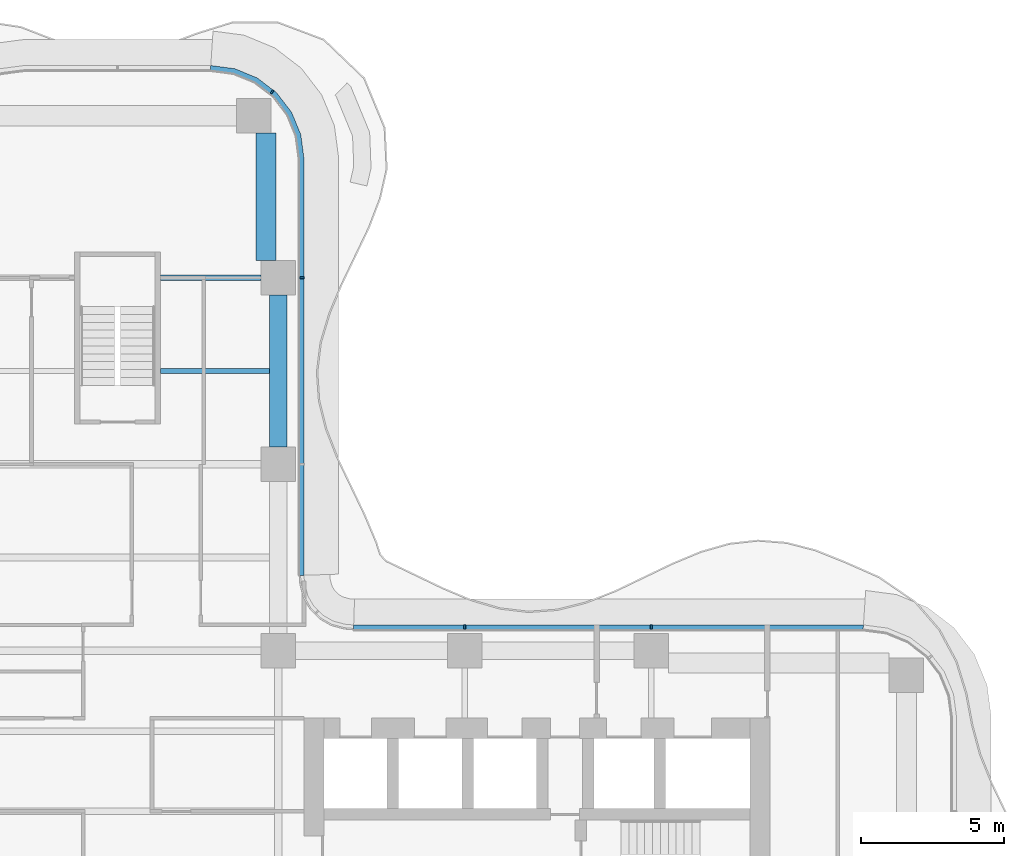
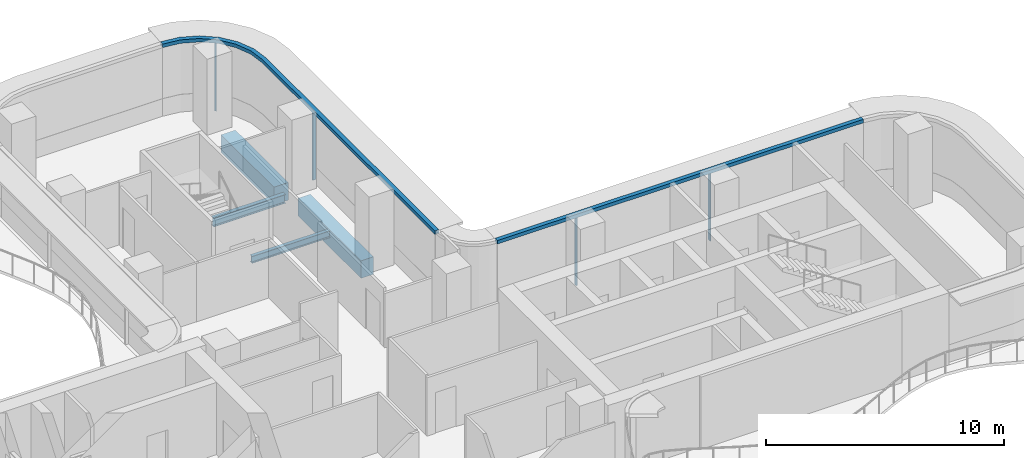
# One storey, part 8 of 17: 6 members, 4 beams, 2 elements without a shape of their own.
"""IFC4 building model written with IfcOpenShell, lengths in metres."""

from ifc_helpers import new_model, si_unit, direction, frame, origin, origin_2d, place, context, subcontext, project, spatial, polyline, rectangle, i_section, outline, extrude, source, transform, mapped, material, layer, layer_set, material_profile, profile_set, type_object, element, aggregate, save


model = new_model("IFC4")

# Units and contexts
model_context = context("Model", 3, precision=1e-05, world=origin(), true_north=direction((0.0, 1.0)))
body_context = subcontext(model_context, "Body", "Model", "MODEL_VIEW")
ifc_project = project(units=[si_unit("LENGTHUNIT", "METRE"), si_unit("AREAUNIT", "SQUARE_METRE"), si_unit("VOLUMEUNIT", "CUBIC_METRE"), si_unit("PLANEANGLEUNIT", "RADIAN"), si_unit("MASSUNIT", "GRAM", prefix="KILO")], contexts=[model_context])

# Site, building, storey
site_placement = place(None, origin())
site = spatial("IfcSite", under=ifc_project, at=site_placement, CompositionType="ELEMENT")
building_placement = place(site_placement, origin())
building = spatial("IfcBuilding", under=site, at=building_placement, Name="Trellis Farm Tower", CompositionType="ELEMENT")
storey_placement = place(building_placement, frame((0.0, 0.0, 162.0)))
storey = spatial("IfcBuildingStorey", under=building, at=storey_placement, Name="L34", CompositionType="ELEMENT", Elevation=162.0)

# Beams
ifc_material_1 = material(Name="Steel S355", Category="steel")
ifc_material_profile_1 = material_profile(ifc_material_1, i_section(OverallWidth=0.1904296875, OverallDepth=0.45703125, WebThickness=0.009033203125, FlangeThickness=0.014404296875, FilletRadius=0.01025390625, at=origin_2d()), Name="UB 457x191x74")
ifc_profile_set_1 = profile_set([ifc_material_profile_1], Name="Steel S355")
beam_type_1 = type_object("IfcBeamType", Name="UB 457x191x74", PredefinedType="BEAM", material=ifc_profile_set_1)
shared_shape_1 = source(origin(), body_context, "Body", "SweptSolid", [
    extrude(i_section(OverallWidth=0.1904296875, OverallDepth=0.45703125, WebThickness=0.009033203125, FlangeThickness=0.014404296875, FilletRadius=0.01025390625, at=origin_2d()), origin(), (0.0, 0.0, 1.0), 3.5),
])
beam_1_placement = place(storey_placement, frame((1.5, 18.60009765625, -0.428466796875), z_axis=(1.0, 0.0, 0.0), x_axis=(0.0, 1.0, 0.0)))
element("IfcBeam", 1, at=beam_1_placement, inside=storey, type_object=beam_type_1, Name="Girder", PredefinedType="BEAM", context=body_context, shape_type="MappedRepresentation", body=[
    mapped(shared_shape_1, transform((0.0, 0.0, 0.0))),
])
ifc_material_2 = material(Name="Concrete C60/75", Category="concrete")
ifc_material_profile_2 = material_profile(ifc_material_2, rectangle(XDim=0.60009765625, YDim=0.89990234375, at=origin_2d()), Name="RC spandrel beam 600x900 C60/75")
ifc_profile_set_2 = profile_set([ifc_material_profile_2], Name="Concrete C60/75")
beam_type_2 = type_object("IfcBeamType", Name="RC spandrel beam 600x900 C60/75", PredefinedType="SPANDREL", material=ifc_profile_set_2)
shared_shape_2 = source(origin(), body_context, "Body", "SweptSolid", [
    extrude(rectangle(XDim=0.60009765625, YDim=0.89990234375, at=origin_2d()), origin(), (0.0, 0.0, 1.0), 5.300048828125),
])
beam_2_placement = place(storey_placement, frame((5.60009765625, 12.699951171875, -0.64990234375), z_axis=(0.0, 1.0, 0.0), x_axis=(-1.0, 0.0, 0.0)))
element("IfcBeam", 2, at=beam_2_placement, inside=storey, type_object=beam_type_2, Name="Girder", PredefinedType="SPANDREL", context=body_context, shape_type="MappedRepresentation", body=[
    mapped(shared_shape_2, transform((0.0, 0.0, 0.0))),
])
ifc_material_profile_3 = material_profile(ifc_material_2, rectangle(XDim=0.699951171875, YDim=0.89990234375, at=origin_2d()), Name="RC spandrel beam 700x900 C60/75")
ifc_profile_set_3 = profile_set([ifc_material_profile_3], Name="Concrete C60/75")
beam_type_3 = type_object("IfcBeamType", Name="RC spandrel beam 700x900 C60/75", PredefinedType="SPANDREL", material=ifc_profile_set_3)
shared_shape_3 = source(origin(), body_context, "Body", "SweptSolid", [
    extrude(rectangle(XDim=0.699951171875, YDim=0.89990234375, at=origin_2d()), origin(), (0.0, 0.0, 1.0), 4.449951171875),
])
beam_3_placement = place(storey_placement, frame((5.175048828125, 19.199951171875, -0.64990234375), z_axis=(0.0, 1.0, 0.0), x_axis=(-1.0, 0.0, 0.0)))
element("IfcBeam", 3, at=beam_3_placement, inside=storey, type_object=beam_type_3, Name="Girder", PredefinedType="SPANDREL", context=body_context, shape_type="MappedRepresentation", body=[
    mapped(shared_shape_3, transform((0.0, 0.0, 0.0))),
])
ifc_material_profile_4 = material_profile(ifc_material_1, i_section(OverallWidth=0.17138671875, OverallDepth=0.35498046875, WebThickness=0.00732421875, FlangeThickness=0.011474609375, FilletRadius=0.01025390625, at=origin_2d()), Name="UB 356x171x51")
ifc_profile_set_4 = profile_set([ifc_material_profile_4], Name="Steel S355")
beam_type_4 = type_object("IfcBeamType", Name="UB 356x171x51 joist", PredefinedType="JOIST", material=ifc_profile_set_4)
shared_shape_4 = source(origin(), body_context, "Body", "SweptSolid", [
    extrude(i_section(OverallWidth=0.17138671875, OverallDepth=0.35498046875, WebThickness=0.00732421875, FlangeThickness=0.011474609375, FilletRadius=0.01025390625, at=origin_2d()), origin(), (0.0, 0.0, 1.0), 3.800048828125),
])
beam_4_placement = place(storey_placement, frame((1.5, 15.35009765625, -0.37744140625), z_axis=(1.0, 0.0, 0.0), x_axis=(0.0, 1.0, 0.0)))
element("IfcBeam", 4, at=beam_4_placement, inside=storey, type_object=beam_type_4, Name="Floor beam", PredefinedType="JOIST", context=body_context, shape_type="MappedRepresentation", body=[
    mapped(shared_shape_4, transform((0.0, 0.0, 0.0))),
])

# Curtain wall, member
ifc_material_3 = material(Name="Aluminium and glass curtain wall", Category="aluminium")
ifc_layer_1 = layer(ifc_material_3, 0.18994140625)
ifc_layer_set_1 = layer_set([ifc_layer_1], Name="RIBBON CURTAIN WALL CW1")
curtain_wall_type = type_object("IfcCurtainWallType", Name="RIBBON CURTAIN WALL CW1", PredefinedType="NOTDEFINED", material=ifc_layer_set_1)
placement_1 = place(storey_placement, origin())
curtain_wall_1 = element("IfcCurtainWall", 5, at=placement_1, inside=storey, type_object=curtain_wall_type, Name="CW1 009", PredefinedType="NOTDEFINED")
ifc_material_4 = material(Name="Aluminium extrusion 6063-T6", Category="aluminium")
ifc_layer_2 = layer(ifc_material_4, 0.199951171875)
ifc_layer_set_2 = layer_set([ifc_layer_2], Name="Aluminium extrusion 6063-T6")
member_type_1 = type_object("IfcMemberType", Name="CW1 TRANSOM 200x180", PredefinedType="USERDEFINED", material=ifc_layer_set_2)
shared_shape_5 = source(origin(), body_context, "Body", "SweptSolid", [
    extrude(outline(polyline([(6.5, 8.2314453125), (6.5, 22.75), (6.38916015625, 23.591064453125), (6.064697265625, 24.375), (5.548095703125, 25.048095703125), (4.875, 25.564697265625), (4.091064453125, 25.88916015625), (3.25, 26.0), (3.23681640625, 25.800048828125), (4.0390625, 25.6943359375), (4.774169921875, 25.389892578125), (5.405517578125, 24.905517578125), (5.889892578125, 24.274169921875), (6.1943359375, 23.5390625), (6.300048828125, 22.73681640625), (6.300048828125, 8.224853515625), (6.5, 8.2314453125)])), origin(), (0.0, 0.0, 1.0), 0.179931640625),
])
placement_2 = place(storey_placement, frame((0.0, 0.0, 3.52001953125)))
member_1 = element("IfcMember", 6, at=placement_2, type_object=member_type_1, Name="TR1 009", ObjectType="TRANSOM", PredefinedType="USERDEFINED", context=body_context, shape_type="MappedRepresentation", body=[
    mapped(shared_shape_5, transform((0.0, 0.0, 0.0))),
])

# Curtain wall, members
curtain_wall_2 = element("IfcCurtainWall", 7, at=placement_1, inside=storey, type_object=curtain_wall_type, Name="CW1 008", PredefinedType="NOTDEFINED")
shared_shape_6 = source(origin(), body_context, "Body", "SweptSolid", [
    extrude(outline(polyline([(26.0, 6.5), (8.2314453125, 6.5), (8.224853515625, 6.300048828125), (25.98681640625, 6.300048828125), (26.0, 6.5)])), origin(), (0.0, 0.0, 1.0), 0.179931640625),
])
member_2 = element("IfcMember", 8, at=placement_2, type_object=member_type_1, Name="TR1 008", ObjectType="TRANSOM", PredefinedType="USERDEFINED", context=body_context, shape_type="MappedRepresentation", body=[
    mapped(shared_shape_6, transform((0.0, 0.0, 0.0))),
])
ifc_material_profile_5 = material_profile(ifc_material_4, rectangle(XDim=0.06005859375, YDim=0.14990234375, at=origin_2d()), Name="MULLION 60x150")
ifc_profile_set_5 = profile_set([ifc_material_profile_5], Name="Aluminium extrusion 6063-T6")
member_type_2 = type_object("IfcMemberType", Name="CW1 MULLION 60x150", PredefinedType="MULLION", material=ifc_profile_set_5)
shared_shape_7 = source(origin(), body_context, "Body", "SweptSolid", [
    extrude(rectangle(XDim=0.06005859375, YDim=0.14990234375, at=origin_2d()), origin(), (0.0, 0.0, 1.0), 3.52001953125),
])
member_3_placement = place(storey_placement, frame((18.60009765625, 6.425048828125, 0.0), z_axis=(0.0, 0.0, 1.0), x_axis=(-1.0, 0.0, 0.0)))
member_3 = element("IfcMember", 9, at=member_3_placement, type_object=member_type_2, Name="MU1 008-01", PredefinedType="MULLION", context=body_context, shape_type="MappedRepresentation", body=[
    mapped(shared_shape_7, transform((0.0, 0.0, 0.0))),
])
member_4_placement = place(storey_placement, frame((12.10009765625, 6.425048828125, 0.0), z_axis=(0.0, 0.0, 1.0), x_axis=(-1.0, 0.0, 0.0)))
member_4 = element("IfcMember", 10, at=member_4_placement, type_object=member_type_2, Name="MU1 008-02", PredefinedType="MULLION", context=body_context, shape_type="MappedRepresentation", body=[
    mapped(shared_shape_7, transform((0.0, 0.0, 0.0))),
])
aggregate(curtain_wall_2, [member_3, member_4, member_2])

# Member
member_5_placement = place(storey_placement, frame((6.425048828125, 18.60009765625, 0.0), z_axis=(0.0, 0.0, 1.0), x_axis=(0.0, 1.0, 0.0)))
member_5 = element("IfcMember", 11, at=member_5_placement, type_object=member_type_2, Name="MU1 009-02", PredefinedType="MULLION", context=body_context, shape_type="MappedRepresentation", body=[
    mapped(shared_shape_7, transform((0.0, 0.0, 0.0))),
])

member_6_placement = place(storey_placement, frame((5.385498046875, 25.078369140625, 0.0), z_axis=(0.0, 0.0, 1.0), x_axis=(-0.793353340291, 0.608761429009, 0.0)))
member_6 = element("IfcMember", 12, at=member_6_placement, type_object=member_type_2, Name="MU1 009-03", PredefinedType="MULLION", context=body_context, shape_type="MappedRepresentation", body=[
    mapped(shared_shape_7, transform((0.0, 0.0, 0.0))),
])

aggregate(curtain_wall_1, [member_5, member_6, member_1])

save(model, "model.ifc")
